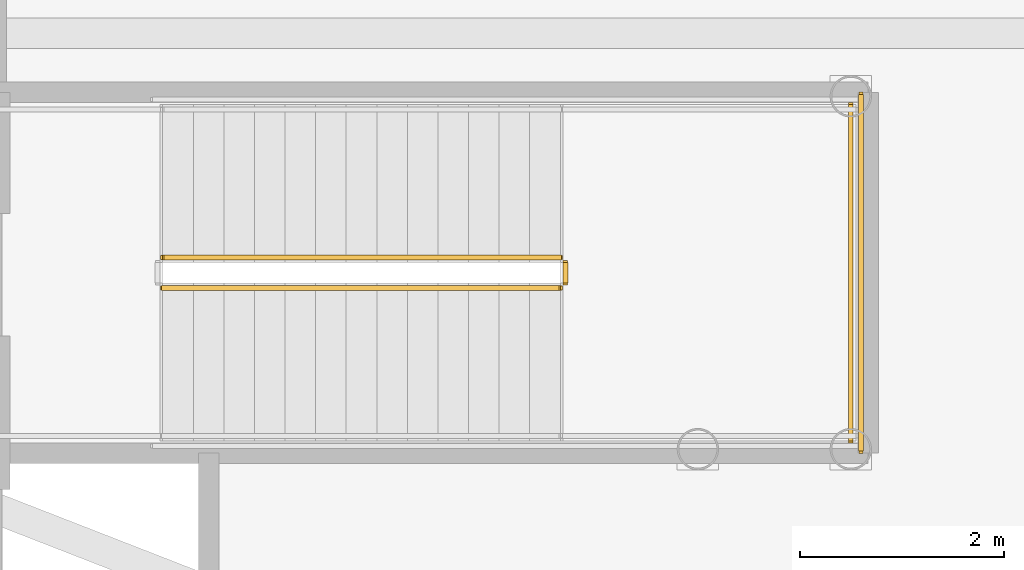
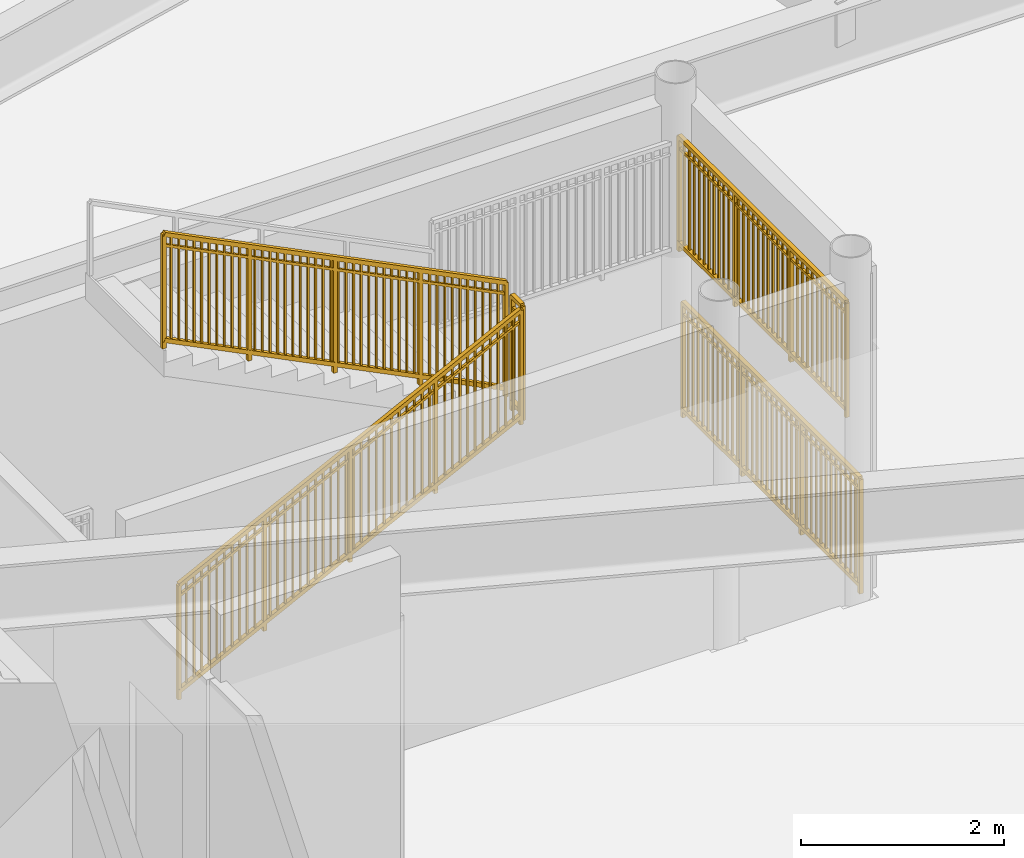
# One storey, part 29 of 31: 5 railings.
"""IFC4 building model written with IfcOpenShell, lengths in metres."""

from ifc_helpers import new_model, si_unit, direction, frame, origin, origin_2d, place, context, subcontext, project, spatial, rectangle, extrude, source, transform, mapped, material, type_object, element, save


model = new_model("IFC4")

# Units and contexts
model_context = context("Model", 3, precision=1e-05, world=origin(), true_north=direction((0.0, 1.0)))
body_context = subcontext(model_context, "Body", "Model", "MODEL_VIEW")
ifc_project = project(units=[si_unit("LENGTHUNIT", "METRE"), si_unit("AREAUNIT", "SQUARE_METRE"), si_unit("VOLUMEUNIT", "CUBIC_METRE"), si_unit("PLANEANGLEUNIT", "RADIAN"), si_unit("MASSUNIT", "GRAM", prefix="KILO")], contexts=[model_context])

# Site, building, storey
site_placement = place(None, origin())
site = spatial("IfcSite", under=ifc_project, at=site_placement, CompositionType="ELEMENT")
building_placement = place(site_placement, origin())
building = spatial("IfcBuilding", under=site, at=building_placement, Name="Linh Dai School and Residence Tower", CompositionType="ELEMENT")
storey_placement = place(building_placement, frame((0.0, 0.0, 6.0)))
storey = spatial("IfcBuildingStorey", under=building, at=storey_placement, Name="L01", CompositionType="ELEMENT", Elevation=6.0)

# Railings
ifc_material = material(Name="Structural Steel S355JR", Category="steel")
railing_type = type_object("IfcRailingType", Name="RL-ST-GUARD-1400", PredefinedType="GUARDRAIL", material=ifc_material)
shared_shape_1 = source(origin(), body_context, "Body", "SweptSolid", [
    extrude(rectangle(XDim=0.048095703125, YDim=0.048095703125, at=origin_2d()), frame((0.0, 0.0, 1.3759765625), z_axis=(-0.894427191, 0.0, 0.4472135955), x_axis=(0.0, -1.0, 0.0)), (0.0, 0.0, 1.0), 4.360107421875),
    extrude(rectangle(XDim=0.048095703125, YDim=0.048095703125, at=origin_2d()), frame((0.0, 0.0, 0.10009765625), z_axis=(-0.894427191, 0.0, 0.4472135955), x_axis=(0.0, -1.0, 0.0)), (0.0, 0.0, 1.0), 4.360107421875),
    extrude(rectangle(XDim=0.030029296875, YDim=0.030029296875, at=origin_2d()), frame((0.0, 0.0, 1.239990234375), z_axis=(-0.894427191, 0.0, 0.4472135955), x_axis=(0.0, -1.0, 0.0)), (0.0, 0.0, 1.0), 4.360107421875),
    extrude(rectangle(XDim=0.02001953125, YDim=0.02001953125, at=origin_2d()), frame((-0.086669921875, 0.0, 0.143310546875)), (0.0, 0.0, 1.0), 1.251708984375),
    extrude(rectangle(XDim=0.02001953125, YDim=0.02001953125, at=origin_2d()), frame((-0.17333984375, 0.0, 0.186767578125)), (0.0, 0.0, 1.0), 1.251708984375),
    extrude(rectangle(XDim=0.02001953125, YDim=0.02001953125, at=origin_2d()), frame((-0.260009765625, 0.0, 0.22998046875)), (0.0, 0.0, 1.0), 1.251708984375),
    extrude(rectangle(XDim=0.02001953125, YDim=0.02001953125, at=origin_2d()), frame((-0.3466796875, 0.0, 0.2734375)), (0.0, 0.0, 1.0), 1.251708984375),
    extrude(rectangle(XDim=0.02001953125, YDim=0.02001953125, at=origin_2d()), frame((-0.433349609375, 0.0, 0.316650390625)), (0.0, 0.0, 1.0), 1.251708984375),
    extrude(rectangle(XDim=0.02001953125, YDim=0.02001953125, at=origin_2d()), frame((-0.52001953125, 0.0, 0.360107421875)), (0.0, 0.0, 1.0), 1.251708984375),
    extrude(rectangle(XDim=0.02001953125, YDim=0.02001953125, at=origin_2d()), frame((-0.606689453125, 0.0, 0.4033203125)), (0.0, 0.0, 1.0), 1.251708984375),
    extrude(rectangle(XDim=0.02001953125, YDim=0.02001953125, at=origin_2d()), frame((-0.693359375, 0.0, 0.44677734375)), (0.0, 0.0, 1.0), 1.251708984375),
    extrude(rectangle(XDim=0.02001953125, YDim=0.02001953125, at=origin_2d()), frame((-0.780029296875, 0.0, 0.489990234375)), (0.0, 0.0, 1.0), 1.251708984375),
    extrude(rectangle(XDim=0.02001953125, YDim=0.02001953125, at=origin_2d()), frame((-0.86669921875, 0.0, 0.533447265625)), (0.0, 0.0, 1.0), 1.251708984375),
    extrude(rectangle(XDim=0.02001953125, YDim=0.02001953125, at=origin_2d()), frame((-1.0400390625, 0.0, 0.6201171875)), (0.0, 0.0, 1.0), 1.251708984375),
    extrude(rectangle(XDim=0.02001953125, YDim=0.02001953125, at=origin_2d()), frame((-1.126708984375, 0.0, 0.663330078125)), (0.0, 0.0, 1.0), 1.251708984375),
    extrude(rectangle(XDim=0.02001953125, YDim=0.02001953125, at=origin_2d()), frame((-1.21337890625, 0.0, 0.706787109375)), (0.0, 0.0, 1.0), 1.251708984375),
    extrude(rectangle(XDim=0.02001953125, YDim=0.02001953125, at=origin_2d()), frame((-1.300048828125, 0.0, 0.75)), (0.0, 0.0, 1.0), 1.251708984375),
    extrude(rectangle(XDim=0.02001953125, YDim=0.02001953125, at=origin_2d()), frame((-1.38671875, 0.0, 0.79345703125)), (0.0, 0.0, 1.0), 1.251708984375),
    extrude(rectangle(XDim=0.02001953125, YDim=0.02001953125, at=origin_2d()), frame((-1.473388671875, 0.0, 0.836669921875)), (0.0, 0.0, 1.0), 1.251708984375),
    extrude(rectangle(XDim=0.02001953125, YDim=0.02001953125, at=origin_2d()), frame((-1.56005859375, 0.0, 0.880126953125)), (0.0, 0.0, 1.0), 1.251708984375),
    extrude(rectangle(XDim=0.02001953125, YDim=0.02001953125, at=origin_2d()), frame((-1.646728515625, 0.0, 0.92333984375)), (0.0, 0.0, 1.0), 1.251708984375),
    extrude(rectangle(XDim=0.02001953125, YDim=0.02001953125, at=origin_2d()), frame((-1.7333984375, 0.0, 0.966796875)), (0.0, 0.0, 1.0), 1.251708984375),
    extrude(rectangle(XDim=0.02001953125, YDim=0.02001953125, at=origin_2d()), frame((-1.820068359375, 0.0, 1.010009765625)), (0.0, 0.0, 1.0), 1.251708984375),
    extrude(rectangle(XDim=0.02001953125, YDim=0.02001953125, at=origin_2d()), frame((-1.90673828125, 0.0, 1.053466796875)), (0.0, 0.0, 1.0), 1.251708984375),
    extrude(rectangle(XDim=0.02001953125, YDim=0.02001953125, at=origin_2d()), frame((-1.9931640625, 0.0, 1.0966796875)), (0.0, 0.0, 1.0), 1.251708984375),
    extrude(rectangle(XDim=0.02001953125, YDim=0.02001953125, at=origin_2d()), frame((-2.079833984375, 0.0, 1.14013671875)), (0.0, 0.0, 1.0), 1.251708984375),
    extrude(rectangle(XDim=0.02001953125, YDim=0.02001953125, at=origin_2d()), frame((-2.16650390625, 0.0, 1.183349609375)), (0.0, 0.0, 1.0), 1.251708984375),
    extrude(rectangle(XDim=0.02001953125, YDim=0.02001953125, at=origin_2d()), frame((-2.253173828125, 0.0, 1.226806640625)), (0.0, 0.0, 1.0), 1.251708984375),
    extrude(rectangle(XDim=0.02001953125, YDim=0.02001953125, at=origin_2d()), frame((-2.33984375, 0.0, 1.27001953125)), (0.0, 0.0, 1.0), 1.251708984375),
    extrude(rectangle(XDim=0.02001953125, YDim=0.02001953125, at=origin_2d()), frame((-2.426513671875, 0.0, 1.3134765625)), (0.0, 0.0, 1.0), 1.251708984375),
    extrude(rectangle(XDim=0.02001953125, YDim=0.02001953125, at=origin_2d()), frame((-2.51318359375, 0.0, 1.356689453125)), (0.0, 0.0, 1.0), 1.251708984375),
    extrude(rectangle(XDim=0.02001953125, YDim=0.02001953125, at=origin_2d()), frame((-2.599853515625, 0.0, 1.400146484375)), (0.0, 0.0, 1.0), 1.251708984375),
    extrude(rectangle(XDim=0.02001953125, YDim=0.02001953125, at=origin_2d()), frame((-2.6865234375, 0.0, 1.443359375)), (0.0, 0.0, 1.0), 1.251708984375),
    extrude(rectangle(XDim=0.02001953125, YDim=0.02001953125, at=origin_2d()), frame((-2.773193359375, 0.0, 1.48681640625)), (0.0, 0.0, 1.0), 1.251708984375),
    extrude(rectangle(XDim=0.02001953125, YDim=0.02001953125, at=origin_2d()), frame((-2.85986328125, 0.0, 1.530029296875)), (0.0, 0.0, 1.0), 1.251708984375),
    extrude(rectangle(XDim=0.02001953125, YDim=0.02001953125, at=origin_2d()), frame((-3.033203125, 0.0, 1.61669921875)), (0.0, 0.0, 1.0), 1.251708984375),
    extrude(rectangle(XDim=0.02001953125, YDim=0.02001953125, at=origin_2d()), frame((-3.119873046875, 0.0, 1.66015625)), (0.0, 0.0, 1.0), 1.251708984375),
    extrude(rectangle(XDim=0.02001953125, YDim=0.02001953125, at=origin_2d()), frame((-3.20654296875, 0.0, 1.703369140625)), (0.0, 0.0, 1.0), 1.251708984375),
    extrude(rectangle(XDim=0.02001953125, YDim=0.02001953125, at=origin_2d()), frame((-3.293212890625, 0.0, 1.746826171875)), (0.0, 0.0, 1.0), 1.251708984375),
    extrude(rectangle(XDim=0.02001953125, YDim=0.02001953125, at=origin_2d()), frame((-3.3798828125, 0.0, 1.7900390625)), (0.0, 0.0, 1.0), 1.251708984375),
    extrude(rectangle(XDim=0.02001953125, YDim=0.02001953125, at=origin_2d()), frame((-3.466552734375, 0.0, 1.83349609375)), (0.0, 0.0, 1.0), 1.251708984375),
    extrude(rectangle(XDim=0.02001953125, YDim=0.02001953125, at=origin_2d()), frame((-3.55322265625, 0.0, 1.876708984375)), (0.0, 0.0, 1.0), 1.251708984375),
    extrude(rectangle(XDim=0.02001953125, YDim=0.02001953125, at=origin_2d()), frame((-3.639892578125, 0.0, 1.920166015625)), (0.0, 0.0, 1.0), 1.251708984375),
    extrude(rectangle(XDim=0.02001953125, YDim=0.02001953125, at=origin_2d()), frame((-3.7265625, 0.0, 1.96337890625)), (0.0, 0.0, 1.0), 1.251708984375),
    extrude(rectangle(XDim=0.02001953125, YDim=0.02001953125, at=origin_2d()), frame((-3.813232421875, 0.0, 2.0068359375)), (0.0, 0.0, 1.0), 1.251708984375),
    extrude(rectangle(XDim=0.0419921875, YDim=0.0419921875, at=origin_2d()), origin(), (0.0, 0.0, 1.0), 1.3759765625),
    extrude(rectangle(XDim=0.0419921875, YDim=0.0419921875, at=origin_2d()), frame((-0.97509765625, 0.0, 0.487548828125)), (0.0, 0.0, 1.0), 1.3759765625),
    extrude(rectangle(XDim=0.0419921875, YDim=0.0419921875, at=origin_2d()), frame((-1.949951171875, 0.0, 0.97509765625)), (0.0, 0.0, 1.0), 1.3759765625),
    extrude(rectangle(XDim=0.0419921875, YDim=0.0419921875, at=origin_2d()), frame((-2.9248046875, 0.0, 1.46240234375)), (0.0, 0.0, 1.0), 1.3759765625),
    extrude(rectangle(XDim=0.0419921875, YDim=0.0419921875, at=origin_2d()), frame((-3.89990234375, 0.0, 1.949951171875)), (0.0, 0.0, 1.0), 1.3759765625),
])
railing_1_placement = place(storey_placement, frame((53.5, 24.800048828125, 2.25)))
element("IfcRailing", 1, at=railing_1_placement, inside=storey, type_object=railing_type, Name="L01 STS2 stair guard 6", PredefinedType="GUARDRAIL", context=body_context, shape_type="MappedRepresentation", body=[
    mapped(shared_shape_1, transform((0.0, 0.0, 0.0), x_axis=(1.0, 0.0, 0.0), y_axis=(0.0, 1.0, 0.0), z_axis=(0.0, 0.0, 1.0), scale=1.0)),
])
shared_shape_2 = source(origin(), body_context, "Body", "SweptSolid", [
    extrude(rectangle(XDim=0.048095703125, YDim=0.048095703125, at=origin_2d()), frame((0.0, 0.0, 1.3759765625), z_axis=(0.894404793364, 0.0, 0.447258387967), x_axis=(0.0, 1.0, 0.0)), (0.0, 0.0, 1.0), 4.3603515625),
    extrude(rectangle(XDim=0.048095703125, YDim=0.048095703125, at=origin_2d()), frame((0.0, 0.0, 0.10009765625), z_axis=(0.894404793364, 0.0, 0.447258387967), x_axis=(0.0, 1.0, 0.0)), (0.0, 0.0, 1.0), 4.3603515625),
    extrude(rectangle(XDim=0.030029296875, YDim=0.030029296875, at=origin_2d()), frame((0.0, 0.0, 1.239990234375), z_axis=(0.894404793364, 0.0, 0.447258387967), x_axis=(0.0, 1.0, 0.0)), (0.0, 0.0, 1.0), 4.3603515625),
    extrude(rectangle(XDim=0.02001953125, YDim=0.02001953125, at=origin_2d()), frame((0.086669921875, 0.0, 0.1435546875)), (0.0, 0.0, 1.0), 1.251708984375),
    extrude(rectangle(XDim=0.02001953125, YDim=0.02001953125, at=origin_2d()), frame((0.17333984375, 0.0, 0.186767578125)), (0.0, 0.0, 1.0), 1.251708984375),
    extrude(rectangle(XDim=0.02001953125, YDim=0.02001953125, at=origin_2d()), frame((0.260009765625, 0.0, 0.230224609375)), (0.0, 0.0, 1.0), 1.251708984375),
    extrude(rectangle(XDim=0.02001953125, YDim=0.02001953125, at=origin_2d()), frame((0.3466796875, 0.0, 0.2734375)), (0.0, 0.0, 1.0), 1.251708984375),
    extrude(rectangle(XDim=0.02001953125, YDim=0.02001953125, at=origin_2d()), frame((0.433349609375, 0.0, 0.31689453125)), (0.0, 0.0, 1.0), 1.251708984375),
    extrude(rectangle(XDim=0.02001953125, YDim=0.02001953125, at=origin_2d()), frame((0.52001953125, 0.0, 0.360107421875)), (0.0, 0.0, 1.0), 1.251708984375),
    extrude(rectangle(XDim=0.02001953125, YDim=0.02001953125, at=origin_2d()), frame((0.606689453125, 0.0, 0.403564453125)), (0.0, 0.0, 1.0), 1.251708984375),
    extrude(rectangle(XDim=0.02001953125, YDim=0.02001953125, at=origin_2d()), frame((0.693359375, 0.0, 0.44677734375)), (0.0, 0.0, 1.0), 1.251708984375),
    extrude(rectangle(XDim=0.02001953125, YDim=0.02001953125, at=origin_2d()), frame((0.780029296875, 0.0, 0.490234375)), (0.0, 0.0, 1.0), 1.251708984375),
    extrude(rectangle(XDim=0.02001953125, YDim=0.02001953125, at=origin_2d()), frame((0.86669921875, 0.0, 0.533447265625)), (0.0, 0.0, 1.0), 1.251708984375),
    extrude(rectangle(XDim=0.02001953125, YDim=0.02001953125, at=origin_2d()), frame((1.0400390625, 0.0, 0.6201171875)), (0.0, 0.0, 1.0), 1.251708984375),
    extrude(rectangle(XDim=0.02001953125, YDim=0.02001953125, at=origin_2d()), frame((1.126708984375, 0.0, 0.66357421875)), (0.0, 0.0, 1.0), 1.251708984375),
    extrude(rectangle(XDim=0.02001953125, YDim=0.02001953125, at=origin_2d()), frame((1.21337890625, 0.0, 0.706787109375)), (0.0, 0.0, 1.0), 1.251708984375),
    extrude(rectangle(XDim=0.02001953125, YDim=0.02001953125, at=origin_2d()), frame((1.300048828125, 0.0, 0.750244140625)), (0.0, 0.0, 1.0), 1.251708984375),
    extrude(rectangle(XDim=0.02001953125, YDim=0.02001953125, at=origin_2d()), frame((1.38671875, 0.0, 0.79345703125)), (0.0, 0.0, 1.0), 1.251708984375),
    extrude(rectangle(XDim=0.02001953125, YDim=0.02001953125, at=origin_2d()), frame((1.473388671875, 0.0, 0.8369140625)), (0.0, 0.0, 1.0), 1.251708984375),
    extrude(rectangle(XDim=0.02001953125, YDim=0.02001953125, at=origin_2d()), frame((1.56005859375, 0.0, 0.880126953125)), (0.0, 0.0, 1.0), 1.251708984375),
    extrude(rectangle(XDim=0.02001953125, YDim=0.02001953125, at=origin_2d()), frame((1.646728515625, 0.0, 0.923583984375)), (0.0, 0.0, 1.0), 1.251708984375),
    extrude(rectangle(XDim=0.02001953125, YDim=0.02001953125, at=origin_2d()), frame((1.7333984375, 0.0, 0.966796875)), (0.0, 0.0, 1.0), 1.251708984375),
    extrude(rectangle(XDim=0.02001953125, YDim=0.02001953125, at=origin_2d()), frame((1.820068359375, 0.0, 1.01025390625)), (0.0, 0.0, 1.0), 1.251708984375),
    extrude(rectangle(XDim=0.02001953125, YDim=0.02001953125, at=origin_2d()), frame((1.90673828125, 0.0, 1.053466796875)), (0.0, 0.0, 1.0), 1.251708984375),
    extrude(rectangle(XDim=0.02001953125, YDim=0.02001953125, at=origin_2d()), frame((1.9931640625, 0.0, 1.096923828125)), (0.0, 0.0, 1.0), 1.251708984375),
    extrude(rectangle(XDim=0.02001953125, YDim=0.02001953125, at=origin_2d()), frame((2.079833984375, 0.0, 1.14013671875)), (0.0, 0.0, 1.0), 1.251708984375),
    extrude(rectangle(XDim=0.02001953125, YDim=0.02001953125, at=origin_2d()), frame((2.16650390625, 0.0, 1.18359375)), (0.0, 0.0, 1.0), 1.251708984375),
    extrude(rectangle(XDim=0.02001953125, YDim=0.02001953125, at=origin_2d()), frame((2.253173828125, 0.0, 1.226806640625)), (0.0, 0.0, 1.0), 1.251708984375),
    extrude(rectangle(XDim=0.02001953125, YDim=0.02001953125, at=origin_2d()), frame((2.33984375, 0.0, 1.270263671875)), (0.0, 0.0, 1.0), 1.251708984375),
    extrude(rectangle(XDim=0.02001953125, YDim=0.02001953125, at=origin_2d()), frame((2.426513671875, 0.0, 1.3134765625)), (0.0, 0.0, 1.0), 1.251708984375),
    extrude(rectangle(XDim=0.02001953125, YDim=0.02001953125, at=origin_2d()), frame((2.51318359375, 0.0, 1.35693359375)), (0.0, 0.0, 1.0), 1.251708984375),
    extrude(rectangle(XDim=0.02001953125, YDim=0.02001953125, at=origin_2d()), frame((2.599853515625, 0.0, 1.400146484375)), (0.0, 0.0, 1.0), 1.251708984375),
    extrude(rectangle(XDim=0.02001953125, YDim=0.02001953125, at=origin_2d()), frame((2.6865234375, 0.0, 1.443603515625)), (0.0, 0.0, 1.0), 1.251708984375),
    extrude(rectangle(XDim=0.02001953125, YDim=0.02001953125, at=origin_2d()), frame((2.773193359375, 0.0, 1.48681640625)), (0.0, 0.0, 1.0), 1.251708984375),
    extrude(rectangle(XDim=0.02001953125, YDim=0.02001953125, at=origin_2d()), frame((2.85986328125, 0.0, 1.5302734375)), (0.0, 0.0, 1.0), 1.251708984375),
    extrude(rectangle(XDim=0.02001953125, YDim=0.02001953125, at=origin_2d()), frame((3.033203125, 0.0, 1.616943359375)), (0.0, 0.0, 1.0), 1.251708984375),
    extrude(rectangle(XDim=0.02001953125, YDim=0.02001953125, at=origin_2d()), frame((3.119873046875, 0.0, 1.66015625)), (0.0, 0.0, 1.0), 1.251708984375),
    extrude(rectangle(XDim=0.02001953125, YDim=0.02001953125, at=origin_2d()), frame((3.20654296875, 0.0, 1.70361328125)), (0.0, 0.0, 1.0), 1.251708984375),
    extrude(rectangle(XDim=0.02001953125, YDim=0.02001953125, at=origin_2d()), frame((3.293212890625, 0.0, 1.746826171875)), (0.0, 0.0, 1.0), 1.251708984375),
    extrude(rectangle(XDim=0.02001953125, YDim=0.02001953125, at=origin_2d()), frame((3.3798828125, 0.0, 1.790283203125)), (0.0, 0.0, 1.0), 1.251708984375),
    extrude(rectangle(XDim=0.02001953125, YDim=0.02001953125, at=origin_2d()), frame((3.466552734375, 0.0, 1.83349609375)), (0.0, 0.0, 1.0), 1.251708984375),
    extrude(rectangle(XDim=0.02001953125, YDim=0.02001953125, at=origin_2d()), frame((3.55322265625, 0.0, 1.876953125)), (0.0, 0.0, 1.0), 1.251708984375),
    extrude(rectangle(XDim=0.02001953125, YDim=0.02001953125, at=origin_2d()), frame((3.639892578125, 0.0, 1.920166015625)), (0.0, 0.0, 1.0), 1.251708984375),
    extrude(rectangle(XDim=0.02001953125, YDim=0.02001953125, at=origin_2d()), frame((3.7265625, 0.0, 1.963623046875)), (0.0, 0.0, 1.0), 1.251708984375),
    extrude(rectangle(XDim=0.02001953125, YDim=0.02001953125, at=origin_2d()), frame((3.813232421875, 0.0, 2.0068359375)), (0.0, 0.0, 1.0), 1.251708984375),
    extrude(rectangle(XDim=0.0419921875, YDim=0.0419921875, at=origin_2d()), origin(), (0.0, 0.0, 1.0), 1.3759765625),
    extrude(rectangle(XDim=0.0419921875, YDim=0.0419921875, at=origin_2d()), frame((0.97509765625, 0.0, 0.487548828125)), (0.0, 0.0, 1.0), 1.3759765625),
    extrude(rectangle(XDim=0.0419921875, YDim=0.0419921875, at=origin_2d()), frame((1.949951171875, 0.0, 0.97509765625)), (0.0, 0.0, 1.0), 1.3759765625),
    extrude(rectangle(XDim=0.0419921875, YDim=0.0419921875, at=origin_2d()), frame((2.9248046875, 0.0, 1.462646484375)), (0.0, 0.0, 1.0), 1.3759765625),
    extrude(rectangle(XDim=0.0419921875, YDim=0.0419921875, at=origin_2d()), frame((3.89990234375, 0.0, 1.9501953125)), (0.0, 0.0, 1.0), 1.3759765625),
])
railing_2_placement = place(storey_placement, frame((49.60009765625, 24.5, 0.14990234375)))
element("IfcRailing", 2, at=railing_2_placement, inside=storey, type_object=railing_type, Name="L01 STS2 stair guard 1", PredefinedType="GUARDRAIL", context=body_context, shape_type="MappedRepresentation", body=[
    mapped(shared_shape_2, transform((0.0, 0.0, 0.0), x_axis=(1.0, 0.0, 0.0), y_axis=(0.0, 1.0, 0.0), z_axis=(0.0, 0.0, 1.0), scale=1.0)),
])
shared_shape_3 = source(origin(), body_context, "Body", "SweptSolid", [
    extrude(rectangle(XDim=0.048095703125, YDim=0.048095703125, at=origin_2d()), frame((0.0, 0.0, 1.3759765625), z_axis=(0.0, 1.0, 0.0), x_axis=(-1.0, 0.0, 0.0)), (0.0, 0.0, 1.0), 0.199951171875),
    extrude(rectangle(XDim=0.048095703125, YDim=0.048095703125, at=origin_2d()), frame((0.0, 0.0, 0.10009765625), z_axis=(0.0, 1.0, 0.0), x_axis=(-1.0, 0.0, 0.0)), (0.0, 0.0, 1.0), 0.199951171875),
    extrude(rectangle(XDim=0.030029296875, YDim=0.030029296875, at=origin_2d()), frame((0.0, 0.0, 1.239990234375), z_axis=(0.0, 1.0, 0.0), x_axis=(-1.0, 0.0, 0.0)), (0.0, 0.0, 1.0), 0.199951171875),
    extrude(rectangle(XDim=0.0419921875, YDim=0.0419921875, at=origin_2d()), origin(), (0.0, 0.0, 1.0), 1.3759765625),
    extrude(rectangle(XDim=0.0419921875, YDim=0.0419921875, at=origin_2d()), frame((0.0, 0.199951171875, 0.0)), (0.0, 0.0, 1.0), 1.3759765625),
])
railing_3_placement = place(storey_placement, frame((53.550048828125, 24.550048828125, 2.10009765625)))
element("IfcRailing", 3, at=railing_3_placement, inside=storey, type_object=railing_type, Name="L01 STS2 stair guard 2", PredefinedType="GUARDRAIL", context=body_context, shape_type="MappedRepresentation", body=[
    mapped(shared_shape_3, transform((0.0, 0.0, 0.0), x_axis=(1.0, 0.0, 0.0), y_axis=(0.0, 1.0, 0.0), z_axis=(0.0, 0.0, 1.0), scale=1.0)),
])
shared_shape_4 = source(origin(), body_context, "Body", "SweptSolid", [
    extrude(rectangle(XDim=0.048095703125, YDim=0.048095703125, at=origin_2d()), frame((0.0, 0.0, 1.3759765625), z_axis=(0.0, 1.0, 0.0), x_axis=(-1.0, 0.0, 0.0)), (0.0, 0.0, 1.0), 3.300048828125),
    extrude(rectangle(XDim=0.048095703125, YDim=0.048095703125, at=origin_2d()), frame((0.0, 0.0, 0.10009765625), z_axis=(0.0, 1.0, 0.0), x_axis=(-1.0, 0.0, 0.0)), (0.0, 0.0, 1.0), 3.300048828125),
    extrude(rectangle(XDim=0.030029296875, YDim=0.030029296875, at=origin_2d()), frame((0.0, 0.0, 1.239990234375), z_axis=(0.0, 1.0, 0.0), x_axis=(-1.0, 0.0, 0.0)), (0.0, 0.0, 1.0), 3.300048828125),
    extrude(rectangle(XDim=0.02001953125, YDim=0.02001953125, at=origin_2d()), frame((0.0, 0.09716796875, 0.10009765625)), (0.0, 0.0, 1.0), 1.251708984375),
    extrude(rectangle(XDim=0.02001953125, YDim=0.02001953125, at=origin_2d()), frame((0.0, 0.194091796875, 0.10009765625)), (0.0, 0.0, 1.0), 1.251708984375),
    extrude(rectangle(XDim=0.02001953125, YDim=0.02001953125, at=origin_2d()), frame((0.0, 0.291259765625, 0.10009765625)), (0.0, 0.0, 1.0), 1.251708984375),
    extrude(rectangle(XDim=0.02001953125, YDim=0.02001953125, at=origin_2d()), frame((0.0, 0.38818359375, 0.10009765625)), (0.0, 0.0, 1.0), 1.251708984375),
    extrude(rectangle(XDim=0.02001953125, YDim=0.02001953125, at=origin_2d()), frame((0.0, 0.4853515625, 0.10009765625)), (0.0, 0.0, 1.0), 1.251708984375),
    extrude(rectangle(XDim=0.02001953125, YDim=0.02001953125, at=origin_2d()), frame((0.0, 0.582275390625, 0.10009765625)), (0.0, 0.0, 1.0), 1.251708984375),
    extrude(rectangle(XDim=0.02001953125, YDim=0.02001953125, at=origin_2d()), frame((0.0, 0.679443359375, 0.10009765625)), (0.0, 0.0, 1.0), 1.251708984375),
    extrude(rectangle(XDim=0.02001953125, YDim=0.02001953125, at=origin_2d()), frame((0.0, 0.7763671875, 0.10009765625)), (0.0, 0.0, 1.0), 1.251708984375),
    extrude(rectangle(XDim=0.02001953125, YDim=0.02001953125, at=origin_2d()), frame((0.0, 0.87353515625, 0.10009765625)), (0.0, 0.0, 1.0), 1.251708984375),
    extrude(rectangle(XDim=0.02001953125, YDim=0.02001953125, at=origin_2d()), frame((0.0, 0.970703125, 0.10009765625)), (0.0, 0.0, 1.0), 1.251708984375),
    extrude(rectangle(XDim=0.02001953125, YDim=0.02001953125, at=origin_2d()), frame((0.0, 1.164794921875, 0.10009765625)), (0.0, 0.0, 1.0), 1.251708984375),
    extrude(rectangle(XDim=0.02001953125, YDim=0.02001953125, at=origin_2d()), frame((0.0, 1.26171875, 0.10009765625)), (0.0, 0.0, 1.0), 1.251708984375),
    extrude(rectangle(XDim=0.02001953125, YDim=0.02001953125, at=origin_2d()), frame((0.0, 1.35888671875, 0.10009765625)), (0.0, 0.0, 1.0), 1.251708984375),
    extrude(rectangle(XDim=0.02001953125, YDim=0.02001953125, at=origin_2d()), frame((0.0, 1.455810546875, 0.10009765625)), (0.0, 0.0, 1.0), 1.251708984375),
    extrude(rectangle(XDim=0.02001953125, YDim=0.02001953125, at=origin_2d()), frame((0.0, 1.552978515625, 0.10009765625)), (0.0, 0.0, 1.0), 1.251708984375),
    extrude(rectangle(XDim=0.02001953125, YDim=0.02001953125, at=origin_2d()), frame((0.0, 1.64990234375, 0.10009765625)), (0.0, 0.0, 1.0), 1.251708984375),
    extrude(rectangle(XDim=0.02001953125, YDim=0.02001953125, at=origin_2d()), frame((0.0, 1.7470703125, 0.10009765625)), (0.0, 0.0, 1.0), 1.251708984375),
    extrude(rectangle(XDim=0.02001953125, YDim=0.02001953125, at=origin_2d()), frame((0.0, 1.84423828125, 0.10009765625)), (0.0, 0.0, 1.0), 1.251708984375),
    extrude(rectangle(XDim=0.02001953125, YDim=0.02001953125, at=origin_2d()), frame((0.0, 1.941162109375, 0.10009765625)), (0.0, 0.0, 1.0), 1.251708984375),
    extrude(rectangle(XDim=0.02001953125, YDim=0.02001953125, at=origin_2d()), frame((0.0, 2.038330078125, 0.10009765625)), (0.0, 0.0, 1.0), 1.251708984375),
    extrude(rectangle(XDim=0.02001953125, YDim=0.02001953125, at=origin_2d()), frame((0.0, 2.13525390625, 0.10009765625)), (0.0, 0.0, 1.0), 1.251708984375),
    extrude(rectangle(XDim=0.02001953125, YDim=0.02001953125, at=origin_2d()), frame((0.0, 2.329345703125, 0.10009765625)), (0.0, 0.0, 1.0), 1.251708984375),
    extrude(rectangle(XDim=0.02001953125, YDim=0.02001953125, at=origin_2d()), frame((0.0, 2.426513671875, 0.10009765625)), (0.0, 0.0, 1.0), 1.251708984375),
    extrude(rectangle(XDim=0.02001953125, YDim=0.02001953125, at=origin_2d()), frame((0.0, 2.523681640625, 0.10009765625)), (0.0, 0.0, 1.0), 1.251708984375),
    extrude(rectangle(XDim=0.02001953125, YDim=0.02001953125, at=origin_2d()), frame((0.0, 2.62060546875, 0.10009765625)), (0.0, 0.0, 1.0), 1.251708984375),
    extrude(rectangle(XDim=0.02001953125, YDim=0.02001953125, at=origin_2d()), frame((0.0, 2.7177734375, 0.10009765625)), (0.0, 0.0, 1.0), 1.251708984375),
    extrude(rectangle(XDim=0.02001953125, YDim=0.02001953125, at=origin_2d()), frame((0.0, 2.814697265625, 0.10009765625)), (0.0, 0.0, 1.0), 1.251708984375),
    extrude(rectangle(XDim=0.02001953125, YDim=0.02001953125, at=origin_2d()), frame((0.0, 2.911865234375, 0.10009765625)), (0.0, 0.0, 1.0), 1.251708984375),
    extrude(rectangle(XDim=0.02001953125, YDim=0.02001953125, at=origin_2d()), frame((0.0, 3.0087890625, 0.10009765625)), (0.0, 0.0, 1.0), 1.251708984375),
    extrude(rectangle(XDim=0.02001953125, YDim=0.02001953125, at=origin_2d()), frame((0.0, 3.10595703125, 0.10009765625)), (0.0, 0.0, 1.0), 1.251708984375),
    extrude(rectangle(XDim=0.02001953125, YDim=0.02001953125, at=origin_2d()), frame((0.0, 3.202880859375, 0.10009765625)), (0.0, 0.0, 1.0), 1.251708984375),
    extrude(rectangle(XDim=0.0419921875, YDim=0.0419921875, at=origin_2d()), origin(), (0.0, 0.0, 1.0), 1.3759765625),
    extrude(rectangle(XDim=0.0419921875, YDim=0.0419921875, at=origin_2d()), frame((0.0, 1.10009765625, 0.0)), (0.0, 0.0, 1.0), 1.3759765625),
    extrude(rectangle(XDim=0.0419921875, YDim=0.0419921875, at=origin_2d()), frame((0.0, 2.199951171875, 0.0)), (0.0, 0.0, 1.0), 1.3759765625),
    extrude(rectangle(XDim=0.0419921875, YDim=0.0419921875, at=origin_2d()), frame((0.0, 3.300048828125, 0.0)), (0.0, 0.0, 1.0), 1.3759765625),
])
railing_4_placement = place(storey_placement, frame((56.35009765625, 23.0, 2.10009765625)))
element("IfcRailing", 4, at=railing_4_placement, inside=storey, type_object=railing_type, Name="L01 STS2 stair guard 5", PredefinedType="GUARDRAIL", context=body_context, shape_type="MappedRepresentation", body=[
    mapped(shared_shape_4, transform((0.0, 0.0, 0.0), x_axis=(1.0, 0.0, 0.0), y_axis=(0.0, 1.0, 0.0), z_axis=(0.0, 0.0, 1.0), scale=1.0)),
])
shared_shape_5 = source(origin(), body_context, "Body", "SweptSolid", [
    extrude(rectangle(XDim=0.048095703125, YDim=0.048095703125, at=origin_2d()), frame((0.0, 0.0, 1.3759765625), z_axis=(0.0, 1.0, 0.0), x_axis=(-1.0, 0.0, 0.0)), (0.0, 0.0, 1.0), 3.5),
    extrude(rectangle(XDim=0.048095703125, YDim=0.048095703125, at=origin_2d()), frame((0.0, 0.0, 0.10009765625), z_axis=(0.0, 1.0, 0.0), x_axis=(-1.0, 0.0, 0.0)), (0.0, 0.0, 1.0), 3.5),
    extrude(rectangle(XDim=0.030029296875, YDim=0.030029296875, at=origin_2d()), frame((0.0, 0.0, 1.239990234375), z_axis=(0.0, 1.0, 0.0), x_axis=(-1.0, 0.0, 0.0)), (0.0, 0.0, 1.0), 3.5),
    extrude(rectangle(XDim=0.02001953125, YDim=0.02001953125, at=origin_2d()), frame((0.0, 0.09716796875, 0.10009765625)), (0.0, 0.0, 1.0), 1.251708984375),
    extrude(rectangle(XDim=0.02001953125, YDim=0.02001953125, at=origin_2d()), frame((0.0, 0.1943359375, 0.10009765625)), (0.0, 0.0, 1.0), 1.251708984375),
    extrude(rectangle(XDim=0.02001953125, YDim=0.02001953125, at=origin_2d()), frame((0.0, 0.291748046875, 0.10009765625)), (0.0, 0.0, 1.0), 1.251708984375),
    extrude(rectangle(XDim=0.02001953125, YDim=0.02001953125, at=origin_2d()), frame((0.0, 0.388916015625, 0.10009765625)), (0.0, 0.0, 1.0), 1.251708984375),
    extrude(rectangle(XDim=0.02001953125, YDim=0.02001953125, at=origin_2d()), frame((0.0, 0.486083984375, 0.10009765625)), (0.0, 0.0, 1.0), 1.251708984375),
    extrude(rectangle(XDim=0.02001953125, YDim=0.02001953125, at=origin_2d()), frame((0.0, 0.583251953125, 0.10009765625)), (0.0, 0.0, 1.0), 1.251708984375),
    extrude(rectangle(XDim=0.02001953125, YDim=0.02001953125, at=origin_2d()), frame((0.0, 0.6806640625, 0.10009765625)), (0.0, 0.0, 1.0), 1.251708984375),
    extrude(rectangle(XDim=0.02001953125, YDim=0.02001953125, at=origin_2d()), frame((0.0, 0.77783203125, 0.10009765625)), (0.0, 0.0, 1.0), 1.251708984375),
    extrude(rectangle(XDim=0.02001953125, YDim=0.02001953125, at=origin_2d()), frame((0.0, 0.875, 0.10009765625)), (0.0, 0.0, 1.0), 1.251708984375),
    extrude(rectangle(XDim=0.02001953125, YDim=0.02001953125, at=origin_2d()), frame((0.0, 0.97216796875, 0.10009765625)), (0.0, 0.0, 1.0), 1.251708984375),
    extrude(rectangle(XDim=0.02001953125, YDim=0.02001953125, at=origin_2d()), frame((0.0, 1.0693359375, 0.10009765625)), (0.0, 0.0, 1.0), 1.251708984375),
    extrude(rectangle(XDim=0.02001953125, YDim=0.02001953125, at=origin_2d()), frame((0.0, 1.263916015625, 0.10009765625)), (0.0, 0.0, 1.0), 1.251708984375),
    extrude(rectangle(XDim=0.02001953125, YDim=0.02001953125, at=origin_2d()), frame((0.0, 1.361083984375, 0.10009765625)), (0.0, 0.0, 1.0), 1.251708984375),
    extrude(rectangle(XDim=0.02001953125, YDim=0.02001953125, at=origin_2d()), frame((0.0, 1.458251953125, 0.10009765625)), (0.0, 0.0, 1.0), 1.251708984375),
    extrude(rectangle(XDim=0.02001953125, YDim=0.02001953125, at=origin_2d()), frame((0.0, 1.5556640625, 0.10009765625)), (0.0, 0.0, 1.0), 1.251708984375),
    extrude(rectangle(XDim=0.02001953125, YDim=0.02001953125, at=origin_2d()), frame((0.0, 1.65283203125, 0.10009765625)), (0.0, 0.0, 1.0), 1.251708984375),
    extrude(rectangle(XDim=0.02001953125, YDim=0.02001953125, at=origin_2d()), frame((0.0, 1.75, 0.10009765625)), (0.0, 0.0, 1.0), 1.251708984375),
    extrude(rectangle(XDim=0.02001953125, YDim=0.02001953125, at=origin_2d()), frame((0.0, 1.84716796875, 0.10009765625)), (0.0, 0.0, 1.0), 1.251708984375),
    extrude(rectangle(XDim=0.02001953125, YDim=0.02001953125, at=origin_2d()), frame((0.0, 1.9443359375, 0.10009765625)), (0.0, 0.0, 1.0), 1.251708984375),
    extrude(rectangle(XDim=0.02001953125, YDim=0.02001953125, at=origin_2d()), frame((0.0, 2.041748046875, 0.10009765625)), (0.0, 0.0, 1.0), 1.251708984375),
    extrude(rectangle(XDim=0.02001953125, YDim=0.02001953125, at=origin_2d()), frame((0.0, 2.138916015625, 0.10009765625)), (0.0, 0.0, 1.0), 1.251708984375),
    extrude(rectangle(XDim=0.02001953125, YDim=0.02001953125, at=origin_2d()), frame((0.0, 2.236083984375, 0.10009765625)), (0.0, 0.0, 1.0), 1.251708984375),
    extrude(rectangle(XDim=0.02001953125, YDim=0.02001953125, at=origin_2d()), frame((0.0, 2.4306640625, 0.10009765625)), (0.0, 0.0, 1.0), 1.251708984375),
    extrude(rectangle(XDim=0.02001953125, YDim=0.02001953125, at=origin_2d()), frame((0.0, 2.52783203125, 0.10009765625)), (0.0, 0.0, 1.0), 1.251708984375),
    extrude(rectangle(XDim=0.02001953125, YDim=0.02001953125, at=origin_2d()), frame((0.0, 2.625, 0.10009765625)), (0.0, 0.0, 1.0), 1.251708984375),
    extrude(rectangle(XDim=0.02001953125, YDim=0.02001953125, at=origin_2d()), frame((0.0, 2.72216796875, 0.10009765625)), (0.0, 0.0, 1.0), 1.251708984375),
    extrude(rectangle(XDim=0.02001953125, YDim=0.02001953125, at=origin_2d()), frame((0.0, 2.8193359375, 0.10009765625)), (0.0, 0.0, 1.0), 1.251708984375),
    extrude(rectangle(XDim=0.02001953125, YDim=0.02001953125, at=origin_2d()), frame((0.0, 2.916748046875, 0.10009765625)), (0.0, 0.0, 1.0), 1.251708984375),
    extrude(rectangle(XDim=0.02001953125, YDim=0.02001953125, at=origin_2d()), frame((0.0, 3.013916015625, 0.10009765625)), (0.0, 0.0, 1.0), 1.251708984375),
    extrude(rectangle(XDim=0.02001953125, YDim=0.02001953125, at=origin_2d()), frame((0.0, 3.111083984375, 0.10009765625)), (0.0, 0.0, 1.0), 1.251708984375),
    extrude(rectangle(XDim=0.02001953125, YDim=0.02001953125, at=origin_2d()), frame((0.0, 3.208251953125, 0.10009765625)), (0.0, 0.0, 1.0), 1.251708984375),
    extrude(rectangle(XDim=0.02001953125, YDim=0.02001953125, at=origin_2d()), frame((0.0, 3.3056640625, 0.10009765625)), (0.0, 0.0, 1.0), 1.251708984375),
    extrude(rectangle(XDim=0.02001953125, YDim=0.02001953125, at=origin_2d()), frame((0.0, 3.40283203125, 0.10009765625)), (0.0, 0.0, 1.0), 1.251708984375),
    extrude(rectangle(XDim=0.0419921875, YDim=0.0419921875, at=origin_2d()), origin(), (0.0, 0.0, 1.0), 1.3759765625),
    extrude(rectangle(XDim=0.0419921875, YDim=0.0419921875, at=origin_2d()), frame((0.0, 1.166748046875, 0.0)), (0.0, 0.0, 1.0), 1.3759765625),
    extrude(rectangle(XDim=0.0419921875, YDim=0.0419921875, at=origin_2d()), frame((0.0, 2.333251953125, 0.0)), (0.0, 0.0, 1.0), 1.3759765625),
    extrude(rectangle(XDim=0.0419921875, YDim=0.0419921875, at=origin_2d()), frame((0.0, 3.5, 0.0)), (0.0, 0.0, 1.0), 1.3759765625),
])
railing_5_placement = place(storey_placement, frame((56.449951171875, 22.89990234375, 0.0)))
element("IfcRailing", 5, at=railing_5_placement, inside=storey, type_object=railing_type, Name="L01 STS2 stair guard 12", PredefinedType="GUARDRAIL", context=body_context, shape_type="MappedRepresentation", body=[
    mapped(shared_shape_5, transform((0.0, 0.0, 0.0), x_axis=(1.0, 0.0, 0.0), y_axis=(0.0, 1.0, 0.0), z_axis=(0.0, 0.0, 1.0), scale=1.0)),
])

save(model, "model.ifc")
